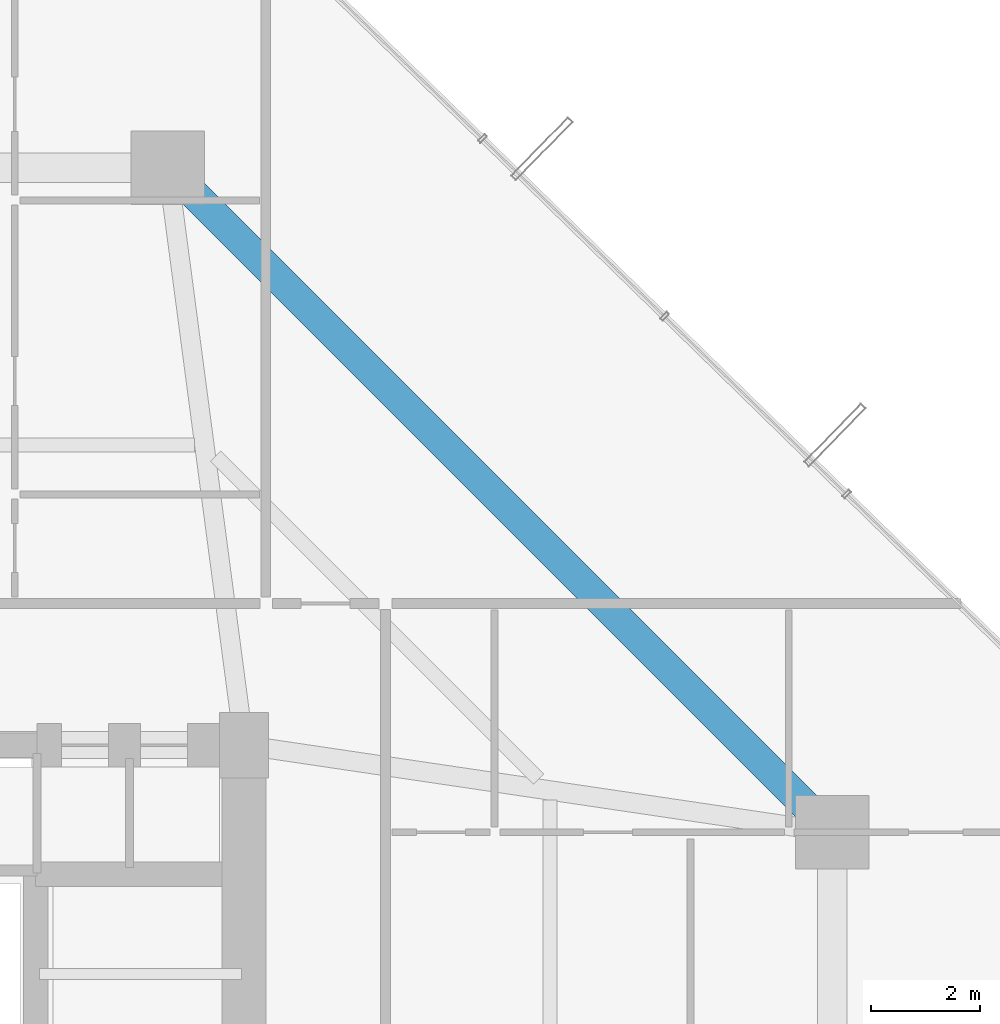
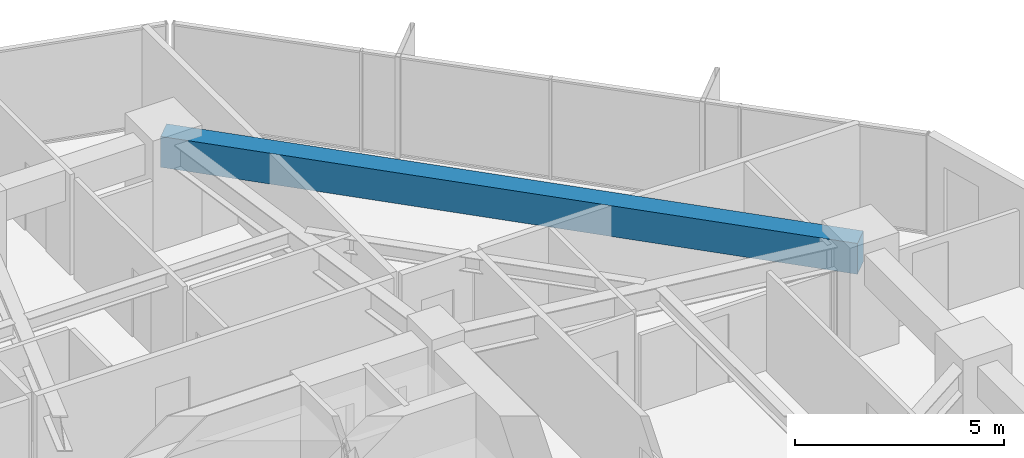
# One storey, part 29 of 39: 1 beam.
"""IFC4 building model written with IfcOpenShell, lengths in metres."""

import ifcopenshell
import ifcopenshell.guid

model = None  # the IFC model being written
_history = None  # IfcOwnerHistory: only IFC2X3 demands one
_inside = {}  # id of a spatial element -> (the spatial element, [elements in it])
_under = {}  # id of a project, library or spatial element -> (it, [spatial elements below it])
_declared = {}  # id of a project -> (the project, [libraries it declares])
_typed = {}  # id of a type object -> (the type object, [elements of that type])
_made_of = {}  # id of a material, layer set ... -> (it, [elements and type objects made of it])


def new_model(schema):
    """Start an empty IFC model of exactly this schema.

    Asked for "IFC4X3", IfcOpenShell would pick the latest addendum, in which some entities
    have other attributes; the version numbers below select the first issue.
    IFC2X3 requires an IfcOwnerHistory on every rooted entity: one is made here for all.
    """
    global model, _history
    if schema == "IFC4X3":
        model = ifcopenshell.file(schema_version=(4, 3, 0, 0))
    else:
        model = ifcopenshell.file(schema=schema)
    _inside.clear()
    _under.clear()
    _declared.clear()
    _typed.clear()
    _made_of.clear()
    _history = None
    if model.schema == "IFC2X3":
        org = make("IfcOrganization", Name="unknown")
        user = make(
            "IfcPersonAndOrganization",
            ThePerson=make("IfcPerson", FamilyName="unknown"),
            TheOrganization=org,
        )
        app = make(
            "IfcApplication",
            ApplicationDeveloper=org,
            Version="unknown",
            ApplicationFullName="unknown",
            ApplicationIdentifier="unknown",
        )
        _history = make(
            "IfcOwnerHistory",
            OwningUser=user,
            OwningApplication=app,
            ChangeAction="ADDED",
            CreationDate=0,
        )
    return model


def make(cls, **values):
    """One entity of the class cls with the attributes given. An attribute that is None is left unset."""
    return model.create_entity(
        cls, **{name: value for name, value in values.items() if value is not None}
    )


def rooted(cls, **values):
    """An entity with a GlobalId (a new one), such as an element, a storey or a relation."""
    return make(cls, GlobalId=ifcopenshell.guid.new(), OwnerHistory=_history, **values)


def si_unit(unit_type, name, prefix=None):
    """IfcSIUnit, for example si_unit("LENGTHUNIT", "METRE", prefix="MILLI")."""
    return make("IfcSIUnit", UnitType=unit_type, Prefix=prefix, Name=name)


def assignment(units):
    """IfcUnitAssignment: the units of a project."""
    return None if units is None else make("IfcUnitAssignment", Units=units)


def point(xyz):
    """IfcCartesianPoint."""
    return None if xyz is None else make("IfcCartesianPoint", Coordinates=xyz)


def direction(xyz):
    """IfcDirection."""
    return None if xyz is None else make("IfcDirection", DirectionRatios=xyz)


def frame(location, z_axis=None, x_axis=None):
    """IfcAxis2Placement3D, a coordinate frame: its origin and axes. An axis left out is left unset."""
    return make(
        "IfcAxis2Placement3D",
        Location=point(location),
        Axis=direction(z_axis),
        RefDirection=direction(x_axis),
    )


def frame_2d(location, x_axis=None):
    """IfcAxis2Placement2D, a coordinate frame in the plane: its origin and x axis."""
    return make(
        "IfcAxis2Placement2D", Location=point(location), RefDirection=direction(x_axis)
    )


def origin():
    """The frame at (0, 0, 0) with its axes left unset."""
    return frame((0.0, 0.0, 0.0))


def origin_2d():
    """The frame at (0, 0) in the plane with its x axis left unset."""
    return frame_2d((0.0, 0.0))


def place(relative_to, where):
    """IfcLocalPlacement: puts the frame where relative to a parent placement (None: the world)."""
    return make(
        "IfcLocalPlacement", PlacementRelTo=relative_to, RelativePlacement=where
    )


def context(
    kind, dimensions, precision=None, world=None, true_north=None, identifier=None
):
    """IfcGeometricRepresentationContext, for example the 3D "Model" context."""
    return make(
        "IfcGeometricRepresentationContext",
        ContextIdentifier=identifier,
        ContextType=kind,
        CoordinateSpaceDimension=dimensions,
        Precision=precision,
        WorldCoordinateSystem=world,
        TrueNorth=true_north,
    )


def subcontext(parent, identifier, kind, view, scale=None):
    """IfcGeometricRepresentationSubContext, for example "Body" below "Model"."""
    return make(
        "IfcGeometricRepresentationSubContext",
        ContextIdentifier=identifier,
        ContextType=kind,
        ParentContext=parent,
        TargetScale=scale,
        TargetView=view,
    )


def project(units=None, contexts=None):
    """IfcProject with its units and contexts."""
    return rooted(
        "IfcProject",
        Name="project",
        RepresentationContexts=contexts,
        UnitsInContext=assignment(units),
    )


def spatial(cls, under=None, at=None, **own):
    """A site, building, storey or space (cls), placed at a placement, below another one or the project."""
    s = rooted(cls, ObjectPlacement=at, **own)
    if under is not None:
        _under.setdefault(under.id(), (under, []))[1].append(s)
    return s


def profile(cls, at=None, kind="AREA", **sizes):
    """A parametric profile (cls). Its sizes go by their IFC names, for example OverallWidth=200.0."""
    return make(cls, ProfileType=kind, Position=at, **sizes)


def rectangle(**sizes):
    """IfcRectangleProfileDef."""
    return profile("IfcRectangleProfileDef", **sizes)


def extrude(swept, where, along, depth):
    """IfcExtrudedAreaSolid: the profile swept, set in the frame where, extruded along a direction by depth."""
    return make(
        "IfcExtrudedAreaSolid",
        SweptArea=swept,
        Position=where,
        ExtrudedDirection=direction(along),
        Depth=depth,
    )


def shape(context_of_items, identifier, shape_type, items):
    """IfcShapeRepresentation: the items that make up one representation, for example the "Body"."""
    return make(
        "IfcShapeRepresentation",
        ContextOfItems=context_of_items,
        RepresentationIdentifier=identifier,
        RepresentationType=shape_type,
        Items=items,
    )


def material(Name=None, Category=None):
    """IfcMaterial."""
    return make("IfcMaterial", Name=Name, Category=Category)


def material_profile(
    of_material, cross_section, Name=None, Category=None, Priority=None
):
    """IfcMaterialProfile: a cross section and its material."""
    return make(
        "IfcMaterialProfile",
        Name=Name,
        Material=of_material,
        Profile=cross_section,
        Priority=Priority,
        Category=Category,
    )


def profile_set(profiles, Name=None, composite=None):
    """IfcMaterialProfileSet."""
    return make(
        "IfcMaterialProfileSet",
        Name=Name,
        MaterialProfiles=profiles,
        CompositeProfile=composite,
    )


def made_of(thing, what):
    """Note that an element or type object is made of a material, layer set ...; save() writes the relation."""
    if what is not None:
        _made_of.setdefault(what.id(), (what, []))[1].append(thing)
    return thing


def type_object(cls, material=None, **own):
    """A type object (cls), such as IfcWallType, which elements share."""
    return made_of(rooted(cls, **own), material)


def element(
    cls,
    number,
    at=None,
    inside=None,
    cuts=None,
    type_object=None,
    material=None,
    context=None,
    identifier="Body",
    shape_type=None,
    held_by="IfcProductDefinitionShape",
    body=None,
    shapes=None,
    **own,
):
    """One element of the class cls, such as IfcWall. Its Tag is "e" and its number.

    at: its placement. inside: the storey or other place that contains it. cuts: it is an
    opening in that element (IfcRelVoidsElement). A single representation is given by context,
    identifier, shape_type and body (its items); several are given by shapes. held_by: the class
    of the entity that holds the representations. save() writes the other relations.
    """
    e = rooted(cls, Tag="e%d" % number, ObjectPlacement=at, **own)
    if body is not None:
        shapes = [shape(context, identifier, shape_type, body)]
    if shapes is not None:
        e.Representation = make(held_by, Representations=shapes)
    if inside is not None:
        _inside.setdefault(inside.id(), (inside, []))[1].append(e)
    if cuts is not None:
        rooted(
            "IfcRelVoidsElement", RelatingBuildingElement=cuts, RelatedOpeningElement=e
        )
    if type_object is not None:
        _typed.setdefault(type_object.id(), (type_object, []))[1].append(e)
    return made_of(e, material)


def aggregate(whole, parts):
    """IfcRelAggregates: a whole, such as a stair, and the parts it consists of."""
    return rooted("IfcRelAggregates", RelatingObject=whole, RelatedObjects=parts)


def save(model, path):
    """Write the relations noted so far, then the file.

    IfcRelAggregates (storeys below a building ...), IfcRelContainedInSpatialStructure (elements
    in a storey), IfcRelDefinesByType, IfcRelAssociatesMaterial and IfcRelDeclares: one each for
    every whole, place, type object, material and project.
    """
    for whole, parts in _under.values():
        aggregate(whole, parts)
    for where, things in _inside.values():
        rooted(
            "IfcRelContainedInSpatialStructure",
            RelatedElements=things,
            RelatingStructure=where,
        )
    for kind, things in _typed.values():
        rooted("IfcRelDefinesByType", RelatedObjects=things, RelatingType=kind)
    for what, things in _made_of.values():
        rooted("IfcRelAssociatesMaterial", RelatedObjects=things, RelatingMaterial=what)
    for by, libraries in _declared.values():
        rooted("IfcRelDeclares", RelatingContext=by, RelatedDefinitions=libraries)
    model.write(path)


model = new_model("IFC4")

# Units and contexts
model_context = context("Model", 3, precision=1e-05, world=origin(), true_north=direction((0.0, 1.0)))
body_context = subcontext(model_context, "Body", "Model", "MODEL_VIEW")
ifc_project = project(units=[si_unit("LENGTHUNIT", "METRE"), si_unit("AREAUNIT", "SQUARE_METRE"), si_unit("VOLUMEUNIT", "CUBIC_METRE"), si_unit("PLANEANGLEUNIT", "RADIAN"), si_unit("MASSUNIT", "GRAM", prefix="KILO")], contexts=[model_context])

# Site, building, storey
site_placement = place(None, origin())
site = spatial("IfcSite", under=ifc_project, at=site_placement, CompositionType="ELEMENT")
building_placement = place(site_placement, origin())
building = spatial("IfcBuilding", under=site, at=building_placement, Name="Veraguas Prism Commons", CompositionType="ELEMENT")
storey_placement = place(building_placement, frame((0.0, 0.0, 77.10009765625)))
storey = spatial("IfcBuildingStorey", under=building, at=storey_placement, Name="L21", CompositionType="ELEMENT", Elevation=77.10009765625)

# Beam
ifc_material = material(Name="Concrete C50/60", Category="concrete")
ifc_material_profile = material_profile(ifc_material, rectangle(XDim=0.550048828125, YDim=0.89990234375, at=origin_2d()), Name="RC550X900")
ifc_profile_set = profile_set([ifc_material_profile], Name="Concrete C50/60")
beam_type = type_object("IfcBeamType", Name="Perimeter Spandrel Lower RC 550x900", PredefinedType="SPANDREL", material=ifc_profile_set)
beam_placement = place(storey_placement, frame((41.60009765625, 29.39990234375, 2.47998046875), z_axis=(-0.707106781187, 0.707106781187, 0.0), x_axis=(-0.707106781187, -0.707106781187, 0.0)))
element("IfcBeam", 1, at=beam_placement, inside=storey, type_object=beam_type, Name="Perimeter Spandrel Beam L21-SP03", PredefinedType="SPANDREL", context=body_context, shape_type="SweptSolid", body=[
    extrude(rectangle(XDim=0.550048828125, YDim=0.89990234375, at=origin_2d()), origin(), (0.0, 0.0, 1.0), 17.253662109375),
])

save(model, "model.ifc")
